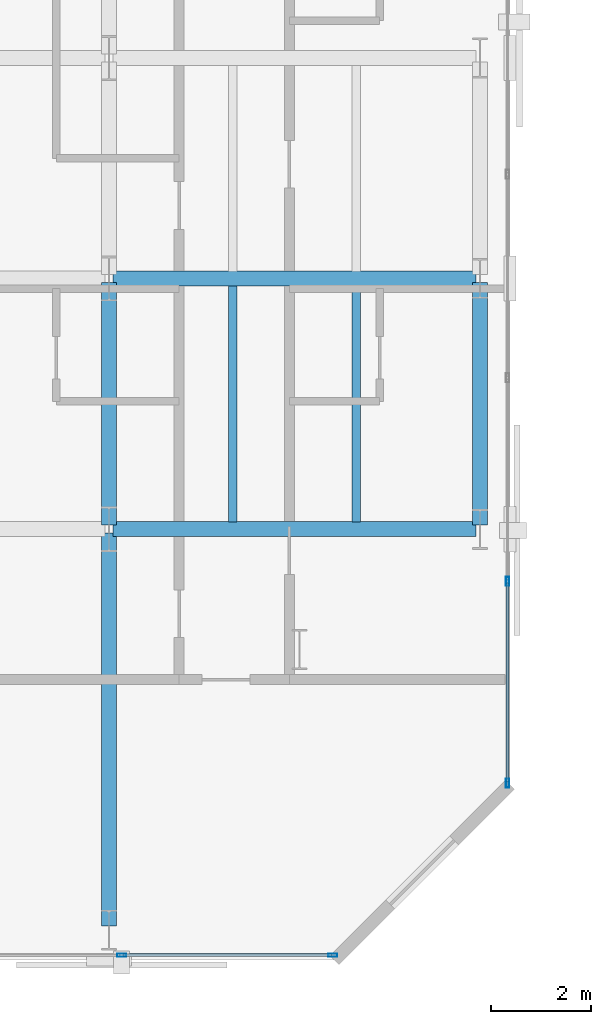
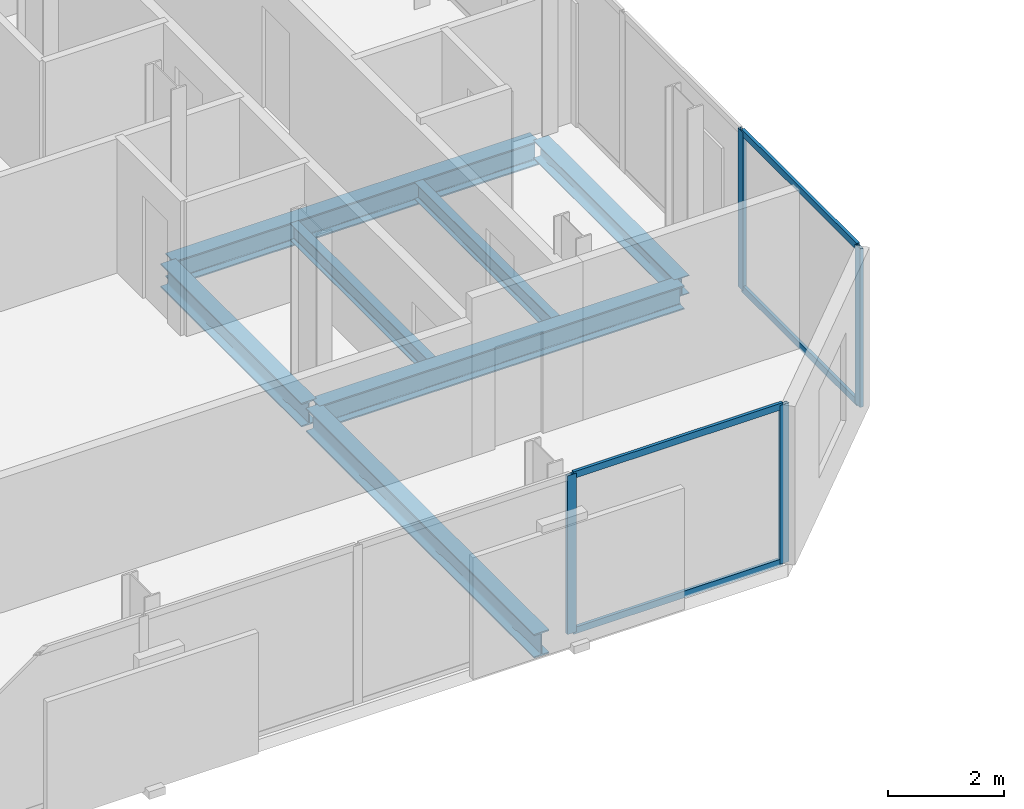
# One storey, part 7 of 33: 8 members, 7 beams, 2 elements without a shape of their own.
"""IFC4 building model written with IfcOpenShell, lengths in metres."""

from ifc_helpers import new_model, si_unit, direction, frame, origin, origin_2d, place, context, subcontext, project, spatial, hollow_rectangle, i_section, extrude, material, layer, layer_set, material_profile, profile_set, type_object, element, aggregate, save


model = new_model("IFC4")

# Units and contexts
model_context = context("Model", 3, precision=1e-05, world=origin(), true_north=direction((0.0, 1.0)))
body_context = subcontext(model_context, "Body", "Model", "MODEL_VIEW")
ifc_project = project(units=[si_unit("LENGTHUNIT", "METRE"), si_unit("AREAUNIT", "SQUARE_METRE"), si_unit("VOLUMEUNIT", "CUBIC_METRE"), si_unit("PLANEANGLEUNIT", "RADIAN"), si_unit("MASSUNIT", "GRAM", prefix="KILO")], contexts=[model_context])

# Site, building, storey
site_placement = place(None, origin())
site = spatial("IfcSite", under=ifc_project, at=site_placement, CompositionType="ELEMENT")
building_placement = place(site_placement, origin())
building = spatial("IfcBuilding", under=site, at=building_placement, Name="Catumbela Crestline Tower", CompositionType="ELEMENT")
storey_placement = place(building_placement, frame((0.0, 0.0, 43.8)))
storey = spatial("IfcBuildingStorey", under=building, at=storey_placement, Name="L10", CompositionType="ELEMENT", Elevation=43.8)

# Beams
ifc_material_1 = material(Name="Structural steel S355J2", Category="steel")
ifc_material_profile_1 = material_profile(ifc_material_1, i_section(OverallWidth=0.3, OverallDepth=0.5, WebThickness=0.0145, FlangeThickness=0.028, FilletRadius=0.027, at=origin_2d()), Name="HEB 500")
ifc_profile_set_1 = profile_set([ifc_material_profile_1], Name="Structural steel S355J2")
beam_type_1 = type_object("IfcBeamType", Name="BG-HEB500", PredefinedType="BEAM", material=ifc_profile_set_1)
for number, where, z_axis, x_axis, name in (
    (1, (16.08, 8.6, -0.51), (1.0, 0.0, 0.0), (0.0, 1.0, 0.0), "L10 Beam BM-L10-WEW50"),
    (2, (16.08, 13.6, -0.51), (1.0, 0.0, 0.0), (0.0, 1.0, 0.0), "L10 Beam BM-L10-WEW53"),
):
    element("IfcBeam", number, at=place(storey_placement, frame(where, z_axis=z_axis, x_axis=x_axis)), inside=storey, type_object=beam_type_1, Name=name, PredefinedType="BEAM", context=body_context, shape_type="SweptSolid", body=[
        extrude(i_section(OverallWidth=0.3, OverallDepth=0.5, WebThickness=0.0145, FlangeThickness=0.028, FilletRadius=0.027, at=origin_2d()), origin(), (0.0, 0.0, 1.0), 7.24),
    ])
beam_1_placement = place(storey_placement, frame((16.0, 0.68, -0.51), z_axis=(0.0, 1.0, 0.0), x_axis=(-1.0, 0.0, 0.0)))
element("IfcBeam", 3, at=beam_1_placement, inside=storey, type_object=beam_type_1, Name="L10 Beam BM-L10-WNS64", PredefinedType="BEAM", context=body_context, shape_type="SweptSolid", body=[
    extrude(i_section(OverallWidth=0.3, OverallDepth=0.5, WebThickness=0.0145, FlangeThickness=0.028, FilletRadius=0.027, at=origin_2d()), origin(), (0.0, 0.0, 1.0), 7.84),
])
beam_2_placement = place(storey_placement, frame((16.0, 8.68, -0.51), z_axis=(0.0, 1.0, 0.0), x_axis=(-1.0, 0.0, 0.0)))
element("IfcBeam", 4, at=beam_2_placement, inside=storey, type_object=beam_type_1, Name="L10 Beam BM-L10-WNS65", PredefinedType="BEAM", context=body_context, shape_type="SweptSolid", body=[
    extrude(i_section(OverallWidth=0.3, OverallDepth=0.5, WebThickness=0.0145, FlangeThickness=0.028, FilletRadius=0.027, at=origin_2d()), origin(), (0.0, 0.0, 1.0), 4.84),
])
ifc_material_profile_2 = material_profile(ifc_material_1, i_section(OverallWidth=0.17, OverallDepth=0.36, WebThickness=0.008, FlangeThickness=0.0127, FilletRadius=0.018, at=origin_2d()), Name="IPE 360")
ifc_profile_set_2 = profile_set([ifc_material_profile_2], Name="Structural steel S355J2")
beam_type_2 = type_object("IfcBeamType", Name="BJ-IPE360", PredefinedType="JOIST", material=ifc_profile_set_2)
for number, where, z_axis, x_axis, name in (
    (5, (18.467, 8.747, -0.44), (0.0, 1.0, 0.0), (-1.0, 0.0, 0.0), "L10 Joist JS-L10-WG74"),
    (6, (20.933, 8.747, -0.44), (0.0, 1.0, 0.0), (-1.0, 0.0, 0.0), "L10 Joist JS-L10-WG75"),
):
    element("IfcBeam", number, at=place(storey_placement, frame(where, z_axis=z_axis, x_axis=x_axis)), inside=storey, type_object=beam_type_2, Name=name, PredefinedType="JOIST", context=body_context, shape_type="SweptSolid", body=[
        extrude(i_section(OverallWidth=0.17, OverallDepth=0.36, WebThickness=0.008, FlangeThickness=0.0127, FilletRadius=0.018, at=origin_2d()), origin(), (0.0, 0.0, 1.0), 4.706),
    ])

# Curtain wall, members
ifc_material_2 = material(Name="Aluminium alloy AW-6060-T66", Category="aluminium")
ifc_layer = layer(ifc_material_2, 0.18, Name="Aluminium alloy AW-6060-T66")
ifc_layer_set = layer_set([ifc_layer], Name="Aluminium alloy AW-6060-T66")
curtain_wall_type = type_object("IfcCurtainWallType", Name="CWU-Z1", PredefinedType="USERDEFINED", material=ifc_layer_set)
curtain_wall_1_placement = place(storey_placement, origin())
curtain_wall_1 = element("IfcCurtainWall", 7, at=curtain_wall_1_placement, inside=storey, type_object=curtain_wall_type, Name="L10 Unitised Curtain Wall CW-L10-E0S1", ObjectType="UNITISED", PredefinedType="USERDEFINED")
ifc_material_profile_3 = material_profile(ifc_material_2, hollow_rectangle(XDim=0.065, YDim=0.18, WallThickness=0.004, at=origin_2d()), Name="ALU 180x65x4")
ifc_profile_set_3 = profile_set([ifc_material_profile_3], Name="Aluminium alloy AW-6060-T66")
member_type_1 = type_object("IfcMemberType", Name="MUL-180X65", PredefinedType="MULLION", material=ifc_profile_set_3)
member_1_placement = place(storey_placement, frame((16.25, 0.1, 0.0), z_axis=(0.0, 0.0, 1.0), x_axis=(0.0, 1.0, 0.0)))
member_1 = element("IfcMember", 8, at=member_1_placement, type_object=member_type_1, Name="CWU-Z1 mullion 4", PredefinedType="MULLION", context=body_context, shape_type="SweptSolid", body=[
    extrude(hollow_rectangle(XDim=0.065, YDim=0.18, WallThickness=0.004, at=origin_2d()), origin(), (0.0, 0.0, 1.0), 3.33),
])
member_2_placement = place(storey_placement, frame((20.4675, 0.1, 0.0), z_axis=(0.0, 0.0, 1.0), x_axis=(0.0, 1.0, 0.0)))
member_2 = element("IfcMember", 9, at=member_2_placement, type_object=member_type_1, Name="CWU-Z1 mullion 5", PredefinedType="MULLION", context=body_context, shape_type="SweptSolid", body=[
    extrude(hollow_rectangle(XDim=0.065, YDim=0.18, WallThickness=0.004, at=origin_2d()), origin(), (0.0, 0.0, 1.0), 3.33),
])

curtain_wall_2_placement = place(storey_placement, origin())
curtain_wall_2 = element("IfcCurtainWall", 10, at=curtain_wall_2_placement, inside=storey, type_object=curtain_wall_type, Name="L10 Unitised Curtain Wall CW-L10-E2S1", ObjectType="UNITISED", PredefinedType="USERDEFINED")
member_3_placement = place(storey_placement, frame((23.95, 3.5325, 0.0), z_axis=(0.0, 0.0, 1.0), x_axis=(-1.0, 0.0, 0.0)))
member_3 = element("IfcMember", 11, at=member_3_placement, type_object=member_type_1, Name="CWU-Z1 mullion 1", PredefinedType="MULLION", context=body_context, shape_type="SweptSolid", body=[
    extrude(hollow_rectangle(XDim=0.065, YDim=0.18, WallThickness=0.004, at=origin_2d()), origin(), (0.0, 0.0, 1.0), 3.33),
])
member_4_placement = place(storey_placement, frame((23.95, 7.56, 0.0), z_axis=(0.0, 0.0, 1.0), x_axis=(-1.0, 0.0, 0.0)))
member_4 = element("IfcMember", 12, at=member_4_placement, type_object=member_type_1, Name="CWU-Z1 mullion 2", PredefinedType="MULLION", context=body_context, shape_type="SweptSolid", body=[
    extrude(hollow_rectangle(XDim=0.065, YDim=0.18, WallThickness=0.004, at=origin_2d()), origin(), (0.0, 0.0, 1.0), 3.33),
])

# Beam
ifc_material_profile_4 = material_profile(ifc_material_1, i_section(OverallWidth=0.3, OverallDepth=0.39, WebThickness=0.011, FlangeThickness=0.019, FilletRadius=0.027, at=origin_2d()), Name="HEA 400")
ifc_profile_set_4 = profile_set([ifc_material_profile_4], Name="Structural steel S355J2")
beam_type_3 = type_object("IfcBeamType", Name="BS-HEA400", PredefinedType="SPANDREL", material=ifc_profile_set_4)
beam_3_placement = place(storey_placement, frame((23.4, 8.68, -0.455), z_axis=(0.0, 1.0, 0.0), x_axis=(-1.0, 0.0, 0.0)))
element("IfcBeam", 13, at=beam_3_placement, inside=storey, type_object=beam_type_3, Name="L10 Spandrel SP-L10-WNS68", PredefinedType="SPANDREL", context=body_context, shape_type="SweptSolid", body=[
    extrude(i_section(OverallWidth=0.3, OverallDepth=0.39, WebThickness=0.011, FlangeThickness=0.019, FilletRadius=0.027, at=origin_2d()), origin(), (0.0, 0.0, 1.0), 4.84),
])

# Member
ifc_material_profile_5 = material_profile(ifc_material_2, hollow_rectangle(XDim=0.06, YDim=0.14, WallThickness=0.004, at=origin_2d()), Name="ALU 140x60x4")
ifc_profile_set_5 = profile_set([ifc_material_profile_5], Name="Aluminium alloy AW-6060-T66")
member_type_2 = type_object("IfcMemberType", Name="TRN-140X60", PredefinedType="USERDEFINED", material=ifc_profile_set_5)
member_5_placement = place(storey_placement, frame((16.2825, 0.1, 0.03), z_axis=(1.0, 0.0, 0.0), x_axis=(0.0, 1.0, 0.0)))
member_5 = element("IfcMember", 14, at=member_5_placement, type_object=member_type_2, Name="CWU-Z1 transom 4.1", ObjectType="TRANSOM", PredefinedType="USERDEFINED", context=body_context, shape_type="SweptSolid", body=[
    extrude(hollow_rectangle(XDim=0.06, YDim=0.14, WallThickness=0.004, at=origin_2d()), origin(), (0.0, 0.0, 1.0), 4.1525),
])

member_6_placement = place(storey_placement, frame((16.2825, 0.1, 3.3), z_axis=(1.0, 0.0, 0.0), x_axis=(0.0, 1.0, 0.0)))
member_6 = element("IfcMember", 15, at=member_6_placement, type_object=member_type_2, Name="CWU-Z1 transom 4.2", ObjectType="TRANSOM", PredefinedType="USERDEFINED", context=body_context, shape_type="SweptSolid", body=[
    extrude(hollow_rectangle(XDim=0.06, YDim=0.14, WallThickness=0.004, at=origin_2d()), origin(), (0.0, 0.0, 1.0), 4.1525),
])

aggregate(curtain_wall_1, [member_1, member_2, member_5, member_6])

member_7_placement = place(storey_placement, frame((23.95, 3.565, 0.03), z_axis=(0.0, 1.0, 0.0), x_axis=(-1.0, 0.0, 0.0)))
member_7 = element("IfcMember", 16, at=member_7_placement, type_object=member_type_2, Name="CWU-Z1 transom 1.1", ObjectType="TRANSOM", PredefinedType="USERDEFINED", context=body_context, shape_type="SweptSolid", body=[
    extrude(hollow_rectangle(XDim=0.06, YDim=0.14, WallThickness=0.004, at=origin_2d()), origin(), (0.0, 0.0, 1.0), 3.9625),
])

member_8_placement = place(storey_placement, frame((23.95, 3.565, 3.3), z_axis=(0.0, 1.0, 0.0), x_axis=(-1.0, 0.0, 0.0)))
member_8 = element("IfcMember", 17, at=member_8_placement, type_object=member_type_2, Name="CWU-Z1 transom 1.2", ObjectType="TRANSOM", PredefinedType="USERDEFINED", context=body_context, shape_type="SweptSolid", body=[
    extrude(hollow_rectangle(XDim=0.06, YDim=0.14, WallThickness=0.004, at=origin_2d()), origin(), (0.0, 0.0, 1.0), 3.9625),
])

aggregate(curtain_wall_2, [member_3, member_4, member_7, member_8])

save(model, "model.ifc")
